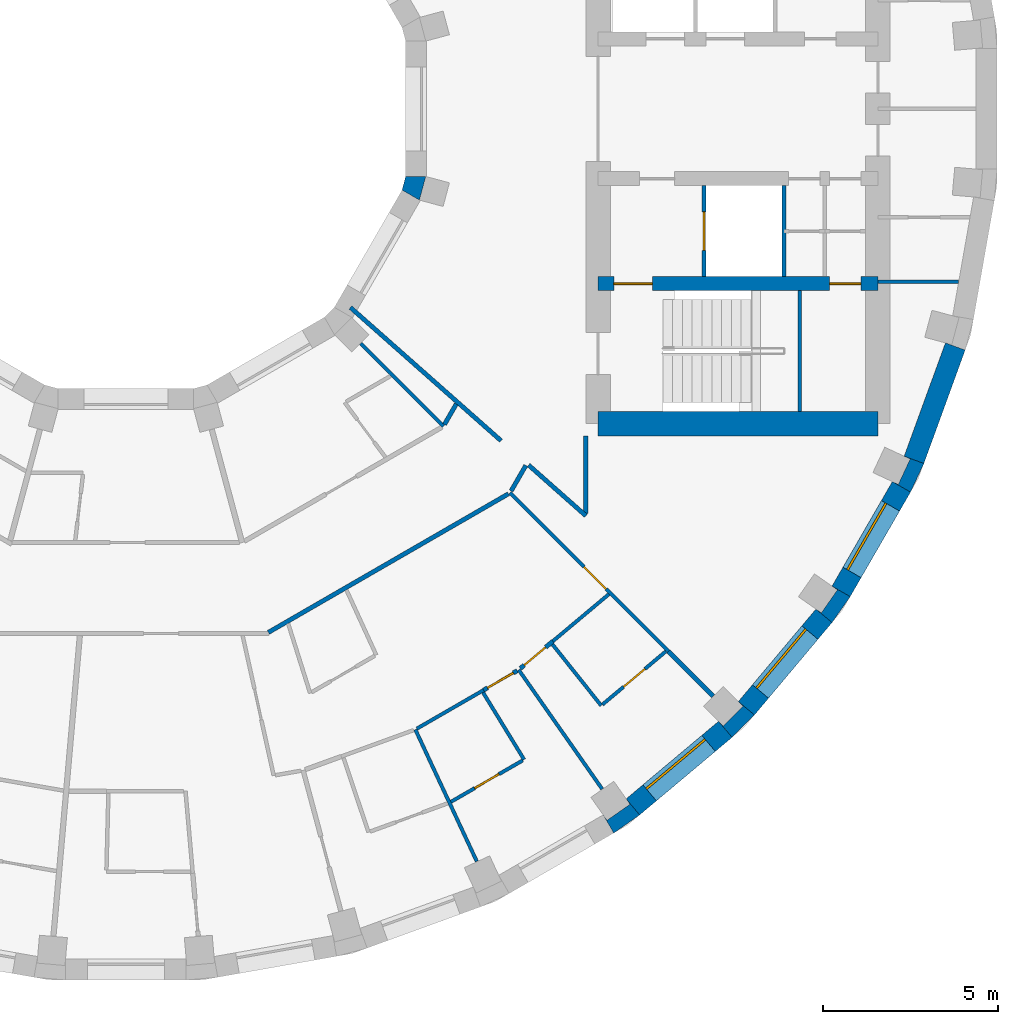
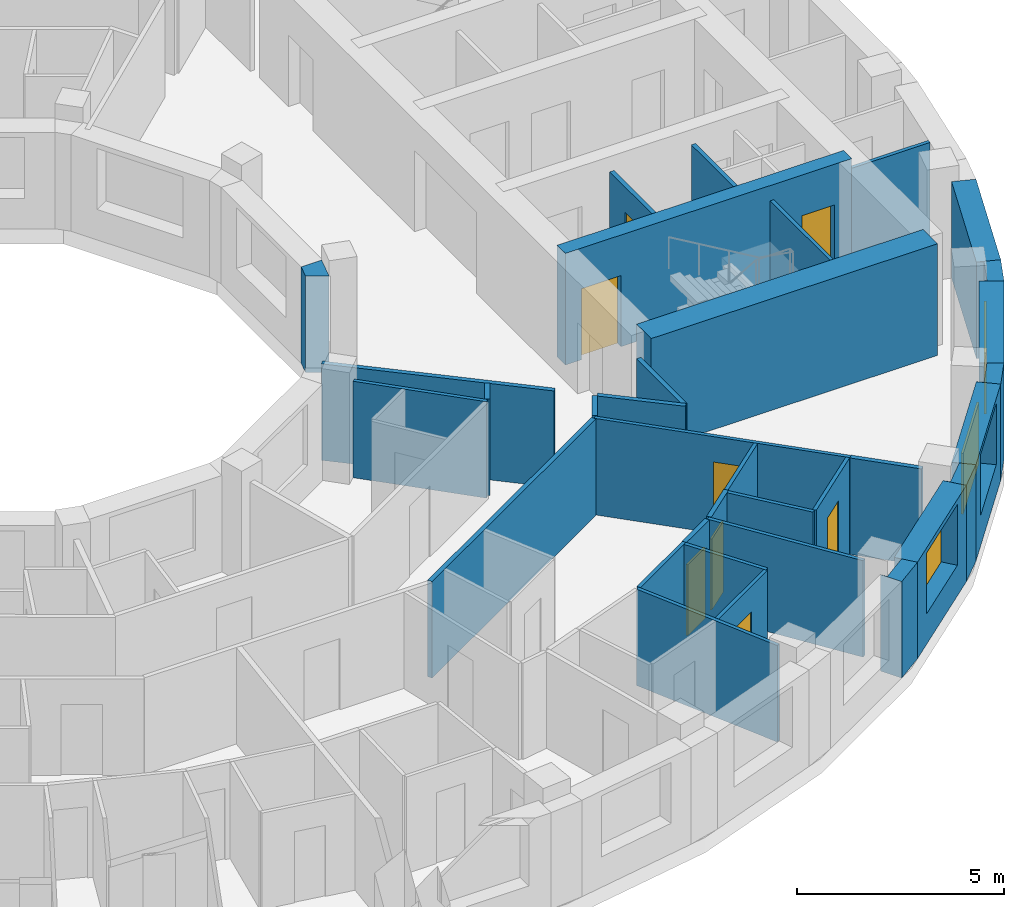
# One storey, part 8 of 14: 34 walls, 8 doors, 3 windows, 11 openings.
"""IFC4 building model written with IfcOpenShell, lengths in metres."""

import ifcopenshell
import ifcopenshell.guid

model = None  # the IFC model being written
_history = None  # IfcOwnerHistory: only IFC2X3 demands one
_inside = {}  # id of a spatial element -> (the spatial element, [elements in it])
_under = {}  # id of a project, library or spatial element -> (it, [spatial elements below it])
_declared = {}  # id of a project -> (the project, [libraries it declares])
_typed = {}  # id of a type object -> (the type object, [elements of that type])
_made_of = {}  # id of a material, layer set ... -> (it, [elements and type objects made of it])


def new_model(schema):
    """Start an empty IFC model of exactly this schema.

    Asked for "IFC4X3", IfcOpenShell would pick the latest addendum, in which some entities
    have other attributes; the version numbers below select the first issue.
    IFC2X3 requires an IfcOwnerHistory on every rooted entity: one is made here for all.
    """
    global model, _history
    if schema == "IFC4X3":
        model = ifcopenshell.file(schema_version=(4, 3, 0, 0))
    else:
        model = ifcopenshell.file(schema=schema)
    _inside.clear()
    _under.clear()
    _declared.clear()
    _typed.clear()
    _made_of.clear()
    _history = None
    if model.schema == "IFC2X3":
        org = make("IfcOrganization", Name="unknown")
        user = make(
            "IfcPersonAndOrganization",
            ThePerson=make("IfcPerson", FamilyName="unknown"),
            TheOrganization=org,
        )
        app = make(
            "IfcApplication",
            ApplicationDeveloper=org,
            Version="unknown",
            ApplicationFullName="unknown",
            ApplicationIdentifier="unknown",
        )
        _history = make(
            "IfcOwnerHistory",
            OwningUser=user,
            OwningApplication=app,
            ChangeAction="ADDED",
            CreationDate=0,
        )
    return model


def make(cls, **values):
    """One entity of the class cls with the attributes given. An attribute that is None is left unset."""
    return model.create_entity(
        cls, **{name: value for name, value in values.items() if value is not None}
    )


def rooted(cls, **values):
    """An entity with a GlobalId (a new one), such as an element, a storey or a relation."""
    return make(cls, GlobalId=ifcopenshell.guid.new(), OwnerHistory=_history, **values)


def si_unit(unit_type, name, prefix=None):
    """IfcSIUnit, for example si_unit("LENGTHUNIT", "METRE", prefix="MILLI")."""
    return make("IfcSIUnit", UnitType=unit_type, Prefix=prefix, Name=name)


def assignment(units):
    """IfcUnitAssignment: the units of a project."""
    return None if units is None else make("IfcUnitAssignment", Units=units)


def point(xyz):
    """IfcCartesianPoint."""
    return None if xyz is None else make("IfcCartesianPoint", Coordinates=xyz)


def direction(xyz):
    """IfcDirection."""
    return None if xyz is None else make("IfcDirection", DirectionRatios=xyz)


def frame(location, z_axis=None, x_axis=None):
    """IfcAxis2Placement3D, a coordinate frame: its origin and axes. An axis left out is left unset."""
    return make(
        "IfcAxis2Placement3D",
        Location=point(location),
        Axis=direction(z_axis),
        RefDirection=direction(x_axis),
    )


def frame_2d(location, x_axis=None):
    """IfcAxis2Placement2D, a coordinate frame in the plane: its origin and x axis."""
    return make(
        "IfcAxis2Placement2D", Location=point(location), RefDirection=direction(x_axis)
    )


def origin():
    """The frame at (0, 0, 0) with its axes left unset."""
    return frame((0.0, 0.0, 0.0))


def place(relative_to, where):
    """IfcLocalPlacement: puts the frame where relative to a parent placement (None: the world)."""
    return make(
        "IfcLocalPlacement", PlacementRelTo=relative_to, RelativePlacement=where
    )


def context(
    kind, dimensions, precision=None, world=None, true_north=None, identifier=None
):
    """IfcGeometricRepresentationContext, for example the 3D "Model" context."""
    return make(
        "IfcGeometricRepresentationContext",
        ContextIdentifier=identifier,
        ContextType=kind,
        CoordinateSpaceDimension=dimensions,
        Precision=precision,
        WorldCoordinateSystem=world,
        TrueNorth=true_north,
    )


def subcontext(parent, identifier, kind, view, scale=None):
    """IfcGeometricRepresentationSubContext, for example "Body" below "Model"."""
    return make(
        "IfcGeometricRepresentationSubContext",
        ContextIdentifier=identifier,
        ContextType=kind,
        ParentContext=parent,
        TargetScale=scale,
        TargetView=view,
    )


def project(units=None, contexts=None):
    """IfcProject with its units and contexts."""
    return rooted(
        "IfcProject",
        Name="project",
        RepresentationContexts=contexts,
        UnitsInContext=assignment(units),
    )


def spatial(cls, under=None, at=None, **own):
    """A site, building, storey or space (cls), placed at a placement, below another one or the project."""
    s = rooted(cls, ObjectPlacement=at, **own)
    if under is not None:
        _under.setdefault(under.id(), (under, []))[1].append(s)
    return s


def polyline(points):
    """IfcPolyline through the points."""
    return make("IfcPolyline", Points=[point(p) for p in points])


def profile(cls, at=None, kind="AREA", **sizes):
    """A parametric profile (cls). Its sizes go by their IFC names, for example OverallWidth=200.0."""
    return make(cls, ProfileType=kind, Position=at, **sizes)


def rectangle(**sizes):
    """IfcRectangleProfileDef."""
    return profile("IfcRectangleProfileDef", **sizes)


def outline(outer, holes=None, kind="AREA"):
    """IfcArbitraryClosedProfileDef: a profile drawn as a closed curve; with holes, ...WithVoids."""
    if holes is None:
        return make("IfcArbitraryClosedProfileDef", ProfileType=kind, OuterCurve=outer)
    return make(
        "IfcArbitraryProfileDefWithVoids",
        ProfileType=kind,
        OuterCurve=outer,
        InnerCurves=holes,
    )


def extrude(swept, where, along, depth):
    """IfcExtrudedAreaSolid: the profile swept, set in the frame where, extruded along a direction by depth."""
    return make(
        "IfcExtrudedAreaSolid",
        SweptArea=swept,
        Position=where,
        ExtrudedDirection=direction(along),
        Depth=depth,
    )


def shape(context_of_items, identifier, shape_type, items):
    """IfcShapeRepresentation: the items that make up one representation, for example the "Body"."""
    return make(
        "IfcShapeRepresentation",
        ContextOfItems=context_of_items,
        RepresentationIdentifier=identifier,
        RepresentationType=shape_type,
        Items=items,
    )


def material(Name=None, Category=None):
    """IfcMaterial."""
    return make("IfcMaterial", Name=Name, Category=Category)


def layer(
    of_material, thickness, ventilated=None, Name=None, Category=None, Priority=None
):
    """IfcMaterialLayer: one layer of a wall or slab, of a material (None: an air gap)."""
    return make(
        "IfcMaterialLayer",
        Material=of_material,
        LayerThickness=thickness,
        IsVentilated=ventilated,
        Name=Name,
        Category=Category,
        Priority=Priority,
    )


def layer_set(layers, Name=None):
    """IfcMaterialLayerSet."""
    return make("IfcMaterialLayerSet", MaterialLayers=layers, LayerSetName=Name)


def made_of(thing, what):
    """Note that an element or type object is made of a material, layer set ...; save() writes the relation."""
    if what is not None:
        _made_of.setdefault(what.id(), (what, []))[1].append(thing)
    return thing


def type_object(cls, material=None, **own):
    """A type object (cls), such as IfcWallType, which elements share."""
    return made_of(rooted(cls, **own), material)


def element(
    cls,
    number,
    at=None,
    inside=None,
    cuts=None,
    type_object=None,
    material=None,
    context=None,
    identifier="Body",
    shape_type=None,
    held_by="IfcProductDefinitionShape",
    body=None,
    shapes=None,
    **own,
):
    """One element of the class cls, such as IfcWall. Its Tag is "e" and its number.

    at: its placement. inside: the storey or other place that contains it. cuts: it is an
    opening in that element (IfcRelVoidsElement). A single representation is given by context,
    identifier, shape_type and body (its items); several are given by shapes. held_by: the class
    of the entity that holds the representations. save() writes the other relations.
    """
    e = rooted(cls, Tag="e%d" % number, ObjectPlacement=at, **own)
    if body is not None:
        shapes = [shape(context, identifier, shape_type, body)]
    if shapes is not None:
        e.Representation = make(held_by, Representations=shapes)
    if inside is not None:
        _inside.setdefault(inside.id(), (inside, []))[1].append(e)
    if cuts is not None:
        rooted(
            "IfcRelVoidsElement", RelatingBuildingElement=cuts, RelatedOpeningElement=e
        )
    if type_object is not None:
        _typed.setdefault(type_object.id(), (type_object, []))[1].append(e)
    return made_of(e, material)


def fill(opening, filler):
    """IfcRelFillsElement: the door or window that sits in an opening."""
    return rooted(
        "IfcRelFillsElement",
        RelatingOpeningElement=opening,
        RelatedBuildingElement=filler,
    )


def aggregate(whole, parts):
    """IfcRelAggregates: a whole, such as a stair, and the parts it consists of."""
    return rooted("IfcRelAggregates", RelatingObject=whole, RelatedObjects=parts)


def save(model, path):
    """Write the relations noted so far, then the file.

    IfcRelAggregates (storeys below a building ...), IfcRelContainedInSpatialStructure (elements
    in a storey), IfcRelDefinesByType, IfcRelAssociatesMaterial and IfcRelDeclares: one each for
    every whole, place, type object, material and project.
    """
    for whole, parts in _under.values():
        aggregate(whole, parts)
    for where, things in _inside.values():
        rooted(
            "IfcRelContainedInSpatialStructure",
            RelatedElements=things,
            RelatingStructure=where,
        )
    for kind, things in _typed.values():
        rooted("IfcRelDefinesByType", RelatedObjects=things, RelatingType=kind)
    for what, things in _made_of.values():
        rooted("IfcRelAssociatesMaterial", RelatedObjects=things, RelatingMaterial=what)
    for by, libraries in _declared.values():
        rooted("IfcRelDeclares", RelatingContext=by, RelatedDefinitions=libraries)
    model.write(path)


model = new_model("IFC4")

# Units and contexts
model_context = context("Model", 3, precision=1e-05, world=origin(), true_north=direction((0.0, 1.0)))
body_context = subcontext(model_context, "Body", "Model", "MODEL_VIEW")
ifc_project = project(units=[si_unit("LENGTHUNIT", "METRE"), si_unit("AREAUNIT", "SQUARE_METRE"), si_unit("VOLUMEUNIT", "CUBIC_METRE"), si_unit("PLANEANGLEUNIT", "RADIAN"), si_unit("MASSUNIT", "GRAM", prefix="KILO")], contexts=[model_context])

# Site, building, storey
site_placement = place(None, origin())
site = spatial("IfcSite", under=ifc_project, at=site_placement, CompositionType="ELEMENT")
building_placement = place(site_placement, origin())
building = spatial("IfcBuilding", under=site, at=building_placement, Name="Saqina Gate Tower", CompositionType="ELEMENT")
storey_placement = place(building_placement, frame((0.0, 0.0, 213.60009765625)))
storey = spatial("IfcBuildingStorey", under=building, at=storey_placement, Name="L61", CompositionType="ELEMENT", Elevation=213.60009765625)

# Walls
ifc_material_1 = material(Name="Brick masonry (buff)", Category="masonry")
wall_type_1 = type_object("IfcWallType", Name="BRICK PIER COPING BUFF", PredefinedType="SOLIDWALL", material=ifc_material_1)
wall_1_placement = place(storey_placement, origin())
element("IfcWall", 1, at=wall_1_placement, inside=storey, type_object=wall_type_1, Name="Pier cap L61 column 31", PredefinedType="SOLIDWALL", context=body_context, shape_type="SweptSolid", body=[
    extrude(outline(polyline([(13.9462890625, -20.705810546875), (14.687255859375, -20.18701171875), (14.301513671875, -19.727294921875), (14.408935546875, -19.880859375), (13.753662109375, -20.339599609375), (13.646240234375, -20.186279296875), (13.9462890625, -20.705810546875)])), origin(), (0.0, 0.0, 1.0), 2.849853515625),
])
wall_2_placement = place(storey_placement, origin())
element("IfcWall", 2, at=wall_2_placement, inside=storey, type_object=wall_type_1, Name="Pier cap L61 column 32", PredefinedType="SOLIDWALL", context=body_context, shape_type="SweptSolid", body=[
    extrude(outline(polyline([(17.969482421875, -17.329833984375), (17.510009765625, -16.944091796875), (17.642333984375, -17.07666015625), (17.07666015625, -17.642333984375), (16.944091796875, -17.510009765625), (17.329833984375, -17.969482421875), (17.969482421875, -17.329833984375)])), origin(), (0.0, 0.0, 1.0), 2.849853515625),
])
wall_3_placement = place(storey_placement, origin())
element("IfcWall", 3, at=wall_3_placement, inside=storey, type_object=wall_type_1, Name="Pier cap L61 column 33", PredefinedType="SOLIDWALL", context=body_context, shape_type="SweptSolid", body=[
    extrude(outline(polyline([(20.18701171875, -14.687255859375), (20.705810546875, -13.9462890625), (20.186279296875, -13.646240234375), (20.339599609375, -13.753662109375), (19.880859375, -14.408935546875), (19.727294921875, -14.301513671875), (20.18701171875, -14.687255859375)])), origin(), (0.0, 0.0, 1.0), 2.849853515625),
])
wall_4_placement = place(storey_placement, origin())
element("IfcWall", 4, at=wall_4_placement, inside=storey, type_object=wall_type_1, Name="Pier cap L61 column 34", PredefinedType="SOLIDWALL", context=body_context, shape_type="SweptSolid", body=[
    extrude(outline(polyline([(22.81298828125, -10.138916015625), (22.249267578125, -9.93359375), (22.4189453125, -10.0126953125), (22.080810546875, -10.73779296875), (21.9111328125, -10.65869140625), (22.4306640625, -10.958740234375), (22.81298828125, -10.138916015625)])), origin(), (0.0, 0.0, 1.0), 2.849853515625),
])
ifc_material_2 = material(Name="Gypsum board on steel studs", Category="steel")
ifc_layer_1 = layer(ifc_material_2, 0.10009765625)
ifc_layer_set_1 = layer_set([ifc_layer_1], Name="CORE PARTITION")
wall_type_2 = type_object("IfcWallType", Name="CORE PARTITION", PredefinedType="PARTITIONING", material=ifc_layer_set_1)
wall_5_placement = place(storey_placement, frame((21.5, -4.949951171875, 0.0), z_axis=(0.0, 0.0, 1.0), x_axis=(1.0, 0.0, 0.0)))
element("IfcWall", 5, at=wall_5_placement, inside=storey, type_object=wall_type_2, Name="L61-CP-E03", PredefinedType="PARTITIONING", context=body_context, shape_type="SweptSolid", body=[
    extrude(rectangle(XDim=2.306884765625, YDim=0.10009765625, at=frame_2d((1.1533203125, 0.0))), origin(), (0.0, 0.0, 1.0), 2.849853515625),
])

# Wall, opening, window
ifc_material_3 = material(Name="Brick masonry (buff)", Category="masonry")
ifc_layer_2 = layer(ifc_material_3, 0.60009765625)
ifc_layer_set_2 = layer_set([ifc_layer_2], Name="FW-BRICK-BUFF")
wall_type_3 = type_object("IfcWallType", Name="FW-BRICK-BUFF", PredefinedType="SOLIDWALL", material=ifc_layer_set_2)
wall_6_placement = place(storey_placement, frame((14.494384765625, -19.95703125, 0.0), z_axis=(0.0, 0.0, 1.0), x_axis=(0.766058884809, 0.642770398358, 0.0)))
wall_6 = element("IfcWall", 6, at=wall_6_placement, inside=storey, type_object=wall_type_3, Name="Facade wall L61 facet 31", PredefinedType="SOLIDWALL", context=body_context, shape_type="SweptSolid", body=[
    extrude(rectangle(XDim=3.449462890625, YDim=0.60009765625, at=frame_2d((1.724609375, 0.0))), origin(), (0.0, 0.0, 1.0), 2.849853515625),
])
opening_1_placement = place(wall_6_placement, frame((0.625, 0.0, 0.89990234375)))
opening_1 = element("IfcOpeningElement", 7, at=opening_1_placement, cuts=wall_6, Name="Opening G18-W20", PredefinedType="OPENING", context=body_context, shape_type="SweptSolid", body=[
    extrude(rectangle(XDim=2.199951171875, YDim=1.800048828125, at=frame_2d((1.10009765625, 0.89990234375))), frame((0.0, 0.31201171875, 0.0), z_axis=(0.0, -1.0, 0.0), x_axis=(1.0, 0.0, 0.0)), (0.0, 0.0, 1.0), 0.6240234375),
])
ifc_material_4 = material(Name="Aluminium glazing", Category="aluminium")
window_type = type_object("IfcWindowType", Name="WN-C", PartitioningType="SINGLE_PANEL", PredefinedType="WINDOW", material=ifc_material_4)
window_1_placement = place(opening_1_placement, origin())
window_1 = element("IfcWindow", 8, at=window_1_placement, inside=storey, type_object=window_type, Name="Window L61 facet 31", OverallHeight=1.800048828125, OverallWidth=2.199951171875, PartitioningType="SINGLE_PANEL", PredefinedType="WINDOW", context=body_context, shape_type="SweptSolid", body=[
    extrude(rectangle(XDim=2.199951171875, YDim=1.800048828125, at=frame_2d((1.10009765625, 0.89990234375))), frame((0.0, 0.179931640625, 0.0), z_axis=(0.0, -1.0, 0.0), x_axis=(1.0, 0.0, 0.0)), (0.0, 0.0, 1.0), 0.06005859375),
])
fill(opening_1, window_1)

wall_7_placement = place(storey_placement, frame((17.73974609375, -17.136962890625, 0.0), z_axis=(0.0, 0.0, 1.0), x_axis=(0.642770398358, 0.766058884809, 0.0)))
wall_7 = element("IfcWall", 9, at=wall_7_placement, inside=storey, type_object=wall_type_3, Name="Facade wall L61 facet 32", PredefinedType="SOLIDWALL", context=body_context, shape_type="SweptSolid", body=[
    extrude(rectangle(XDim=3.449462890625, YDim=0.60009765625, at=frame_2d((1.724609375, 0.0))), origin(), (0.0, 0.0, 1.0), 2.849853515625),
])
opening_2_placement = place(wall_7_placement, frame((0.625, 0.0, 0.89990234375)))
opening_2 = element("IfcOpeningElement", 10, at=opening_2_placement, cuts=wall_7, Name="Opening G18-W21", PredefinedType="OPENING", context=body_context, shape_type="SweptSolid", body=[
    extrude(rectangle(XDim=2.199951171875, YDim=1.800048828125, at=frame_2d((1.10009765625, 0.89990234375))), frame((0.0, 0.31201171875, 0.0), z_axis=(0.0, -1.0, 0.0), x_axis=(1.0, 0.0, 0.0)), (0.0, 0.0, 1.0), 0.6240234375),
])
window_2_placement = place(opening_2_placement, origin())
window_2 = element("IfcWindow", 11, at=window_2_placement, inside=storey, type_object=window_type, Name="Window L61 facet 32", OverallHeight=1.800048828125, OverallWidth=2.199951171875, PartitioningType="SINGLE_PANEL", PredefinedType="WINDOW", context=body_context, shape_type="SweptSolid", body=[
    extrude(rectangle(XDim=2.199951171875, YDim=1.800048828125, at=frame_2d((1.10009765625, 0.89990234375))), frame((0.0, 0.179931640625, 0.0), z_axis=(0.0, -1.0, 0.0), x_axis=(1.0, 0.0, 0.0)), (0.0, 0.0, 1.0), 0.06005859375),
])
fill(opening_2, window_2)

wall_8_placement = place(storey_placement, frame((20.446044921875, -13.796142578125, 0.0), z_axis=(0.0, 0.0, 1.0), x_axis=(0.499998129301, 0.86602648383, 0.0)))
wall_8 = element("IfcWall", 12, at=wall_8_placement, inside=storey, type_object=wall_type_3, Name="Facade wall L61 facet 33", PredefinedType="SOLIDWALL", context=body_context, shape_type="SweptSolid", body=[
    extrude(rectangle(XDim=3.44970703125, YDim=0.60009765625, at=frame_2d((1.724853515625, 0.0))), origin(), (0.0, 0.0, 1.0), 2.849853515625),
])
opening_3_placement = place(wall_8_placement, frame((0.625, 0.0, 0.89990234375)))
opening_3 = element("IfcOpeningElement", 13, at=opening_3_placement, cuts=wall_8, Name="Opening G18-W22", PredefinedType="OPENING", context=body_context, shape_type="SweptSolid", body=[
    extrude(rectangle(XDim=2.199951171875, YDim=1.800048828125, at=frame_2d((1.10009765625, 0.89990234375))), frame((0.0, 0.31201171875, 0.0), z_axis=(0.0, -1.0, 0.0), x_axis=(1.0, 0.0, 0.0)), (0.0, 0.0, 1.0), 0.6240234375),
])
window_3_placement = place(opening_3_placement, origin())
window_3 = element("IfcWindow", 14, at=window_3_placement, inside=storey, type_object=window_type, Name="Window L61 facet 33", OverallHeight=1.800048828125, OverallWidth=2.199951171875, PartitioningType="SINGLE_PANEL", PredefinedType="WINDOW", context=body_context, shape_type="SweptSolid", body=[
    extrude(rectangle(XDim=2.199951171875, YDim=1.800048828125, at=frame_2d((1.10009765625, 0.89990234375))), frame((0.0, 0.179931640625, 0.0), z_axis=(0.0, -1.0, 0.0), x_axis=(1.0, 0.0, 0.0)), (0.0, 0.0, 1.0), 0.06005859375),
])
fill(opening_3, window_3)

# Walls
ifc_material_5 = material(Name="Glazed ceramic tile", Category="ceramic")
ifc_layer_3 = layer(ifc_material_5, 0.60009765625)
ifc_layer_set_3 = layer_set([ifc_layer_3], Name="FW-TILE")
wall_type_4 = type_object("IfcWallType", Name="FW-TILE", PredefinedType="SOLIDWALL", material=ifc_layer_set_3)
wall_9_placement = place(storey_placement, frame((22.531005859375, -10.0361328125, 0.0), z_axis=(0.0, 0.0, 1.0), x_axis=(0.342032843455, 0.93968799822, 0.0)))
element("IfcWall", 15, at=wall_9_placement, inside=storey, type_object=wall_type_4, Name="Facade wall L61 facet 34", PredefinedType="SOLIDWALL", context=body_context, shape_type="SweptSolid", body=[
    extrude(rectangle(XDim=3.44970703125, YDim=0.60009765625, at=frame_2d((1.724853515625, 0.0))), origin(), (0.0, 0.0, 1.0), 2.849853515625),
])
ifc_material_6 = material(Name="Gypsum board on steel studs, 100 mm", Category="steel")
ifc_layer_4 = layer(ifc_material_6, 0.10009765625)
ifc_layer_set_4 = layer_set([ifc_layer_4], Name="PARTITION 100")
wall_type_5 = type_object("IfcWallType", Name="PARTITION 100", PredefinedType="PARTITIONING", material=ifc_layer_set_4)
wall_10_placement = place(storey_placement, frame((8.27490234375, -17.7451171875, 0.0), z_axis=(0.0, 0.0, 1.0), x_axis=(0.42246777717, -0.906377943936, 0.0)))
element("IfcWall", 16, at=wall_10_placement, inside=storey, type_object=wall_type_5, Name="PARTITION PW3-09", PredefinedType="PARTITIONING", context=body_context, shape_type="SweptSolid", body=[
    extrude(rectangle(XDim=4.16015625, YDim=0.10009765625, at=frame_2d((2.080078125, 0.0))), origin(), (0.0, 0.0, 1.0), 2.849853515625),
])
wall_11_placement = place(storey_placement, frame((10.210205078125, -16.685546875, 0.0), z_axis=(0.0, 0.0, 1.0), x_axis=(0.522037907824, -0.852922284147, 0.0)))
element("IfcWall", 17, at=wall_11_placement, inside=storey, type_object=wall_type_5, Name="PARTITION PW3-10", PredefinedType="PARTITIONING", context=body_context, shape_type="SweptSolid", body=[
    extrude(rectangle(XDim=2.25048828125, YDim=0.10009765625, at=frame_2d((1.125244140625, 0.0))), origin(), (0.0, 0.0, 1.0), 2.849853515625),
])
wall_12_placement = place(storey_placement, frame((11.22998046875, -16.0380859375, 0.0), z_axis=(0.0, 0.0, 1.0), x_axis=(0.573525346877, -0.81918781515, 0.0)))
element("IfcWall", 18, at=wall_12_placement, inside=storey, type_object=wall_type_5, Name="PARTITION PW3-12", PredefinedType="PARTITIONING", context=body_context, shape_type="SweptSolid", body=[
    extrude(rectangle(XDim=4.1611328125, YDim=0.10009765625, at=frame_2d((2.08056640625, 0.0))), origin(), (0.0, 0.0, 1.0), 2.849853515625),
])
wall_13_placement = place(storey_placement, frame((12.195068359375, -15.31103515625, 0.0), z_axis=(0.0, 0.0, 1.0), x_axis=(0.623070217722, -0.782165905539, 0.0)))
element("IfcWall", 19, at=wall_13_placement, inside=storey, type_object=wall_type_5, Name="PARTITION PW3-14", PredefinedType="PARTITIONING", context=body_context, shape_type="SweptSolid", body=[
    extrude(rectangle(XDim=2.2373046875, YDim=0.10009765625, at=frame_2d((1.11865234375, 0.0))), origin(), (0.0, 0.0, 1.0), 2.849853515625),
])
wall_14_placement = place(storey_placement, frame((6.7119140625, -6.7119140625, 0.0), z_axis=(0.0, 0.0, 1.0), x_axis=(0.707106781187, -0.707106781187, 0.0)))
element("IfcWall", 20, at=wall_14_placement, inside=storey, type_object=wall_type_5, Name="PARTITION PW3-19", PredefinedType="PARTITIONING", context=body_context, shape_type="SweptSolid", body=[
    extrude(rectangle(XDim=3.344482421875, YDim=0.10009765625, at=frame_2d((1.67236328125, 0.0))), origin(), (0.0, 0.0, 1.0), 2.849853515625),
])

# Wall, opening, door
wall_15_placement = place(storey_placement, frame((10.98095703125, -10.98095703125, 0.0), z_axis=(0.0, 0.0, 1.0), x_axis=(0.707106781187, -0.707106781187, 0.0)))
wall_15 = element("IfcWall", 21, at=wall_15_placement, inside=storey, type_object=wall_type_5, Name="PARTITION PW3-20", PredefinedType="PARTITIONING", context=body_context, shape_type="SweptSolid", body=[
    extrude(rectangle(XDim=6.408203125, YDim=0.10009765625, at=frame_2d((3.2041015625, 0.0))), origin(), (0.0, 0.0, 1.0), 2.849853515625),
])
opening_4_placement = place(wall_15_placement, frame((2.983642578125, 0.0, 0.0)))
opening_4 = element("IfcOpeningElement", 22, at=opening_4_placement, cuts=wall_15, Name="Opening G18-D56", PredefinedType="OPENING", context=body_context, shape_type="SweptSolid", body=[
    extrude(rectangle(XDim=0.89990234375, YDim=2.10009765625, at=frame_2d((0.449951171875, 1.050048828125))), frame((0.0, 0.06201171875, 0.0), z_axis=(0.0, -1.0, 0.0), x_axis=(1.0, 0.0, 0.0)), (0.0, 0.0, 1.0), 0.1240234375),
])
ifc_material_7 = material(Name="Timber door leaf, 900 mm", Category="wood")
door_type_1 = type_object("IfcDoorType", Name="DOOR 900 TIMBER", OperationType="SINGLE_SWING_LEFT", PredefinedType="DOOR", material=ifc_material_7)
door_1_placement = place(opening_4_placement, origin())
door_1 = element("IfcDoor", 23, at=door_1_placement, inside=storey, type_object=door_type_1, Name="DOOR G18-D56", OperationType="SINGLE_SWING_RIGHT", OverallHeight=2.10009765625, OverallWidth=0.89990234375, PredefinedType="DOOR", context=body_context, shape_type="SweptSolid", body=[
    extrude(rectangle(XDim=0.89990234375, YDim=2.10009765625, at=frame_2d((0.449951171875, 1.050048828125))), frame((0.0, 0.02490234375, 0.0), z_axis=(0.0, -1.0, 0.0), x_axis=(1.0, 0.0, 0.0)), (0.0, 0.0, 1.0), 0.050048828125),
])
fill(opening_4, door_1)

wall_16_placement = place(storey_placement, frame((9.293212890625, -19.81201171875, 0.0), z_axis=(0.0, 0.0, 1.0), x_axis=(0.866139183788, 0.49980287545, 0.0)))
wall_16 = element("IfcWall", 24, at=wall_16_placement, inside=storey, type_object=wall_type_5, Name="PARTITION PW3-55", PredefinedType="PARTITIONING", context=body_context, shape_type="SweptSolid", body=[
    extrude(rectangle(XDim=2.365234375, YDim=0.10009765625, at=frame_2d((1.1826171875, 0.0))), origin(), (0.0, 0.0, 1.0), 2.849853515625),
])
opening_5_placement = place(wall_16_placement, frame((0.782470703125, 0.0, 0.0)))
opening_5 = element("IfcOpeningElement", 25, at=opening_5_placement, cuts=wall_16, Name="Opening G18-D50", PredefinedType="OPENING", context=body_context, shape_type="SweptSolid", body=[
    extrude(rectangle(XDim=0.800048828125, YDim=2.10009765625, at=frame_2d((0.39990234375, 1.050048828125))), frame((0.0, 0.06201171875, 0.0), z_axis=(0.0, -1.0, 0.0), x_axis=(1.0, 0.0, 0.0)), (0.0, 0.0, 1.0), 0.1240234375),
])
ifc_material_8 = material(Name="Timber door leaf, 800 mm", Category="wood")
door_type_2 = type_object("IfcDoorType", Name="DOOR 800 TIMBER", OperationType="SINGLE_SWING_LEFT", PredefinedType="DOOR", material=ifc_material_8)
door_2_placement = place(opening_5_placement, frame((0.800048828125, 0.0, 0.0), z_axis=(0.0, 0.0, 1.0), x_axis=(-1.0, 0.0, 0.0)))
door_2 = element("IfcDoor", 26, at=door_2_placement, inside=storey, type_object=door_type_2, Name="DOOR G18-D50", OperationType="SINGLE_SWING_LEFT", OverallHeight=2.10009765625, OverallWidth=0.800048828125, PredefinedType="DOOR", context=body_context, shape_type="SweptSolid", body=[
    extrude(rectangle(XDim=0.800048828125, YDim=2.10009765625, at=frame_2d((0.39990234375, 1.050048828125))), frame((0.0, 0.02490234375, 0.0), z_axis=(0.0, -1.0, 0.0), x_axis=(1.0, 0.0, 0.0)), (0.0, 0.0, 1.0), 0.050048828125),
])
fill(opening_5, door_2)

# Wall
wall_17_placement = place(storey_placement, frame((8.318359375, -17.719970703125, 0.0), z_axis=(0.0, 0.0, 1.0), x_axis=(0.866039875853, 0.499974932805, 0.0)))
element("IfcWall", 27, at=wall_17_placement, inside=storey, type_object=wall_type_5, Name="PARTITION PW3-56", PredefinedType="PARTITIONING", context=body_context, shape_type="SweptSolid", body=[
    extrude(rectangle(XDim=2.2041015625, YDim=0.10009765625, at=frame_2d((1.10205078125, 0.0))), origin(), (0.0, 0.0, 1.0), 2.849853515625),
])

# Wall, opening, door
wall_18_placement = place(storey_placement, frame((13.627197265625, -17.02880859375, 0.0), z_axis=(0.0, 0.0, 1.0), x_axis=(0.766091436164, 0.642731601399, 0.0)))
wall_18 = element("IfcWall", 28, at=wall_18_placement, inside=storey, type_object=wall_type_5, Name="PARTITION PW3-63", PredefinedType="PARTITIONING", context=body_context, shape_type="SweptSolid", body=[
    extrude(rectangle(XDim=2.363037109375, YDim=0.10009765625, at=frame_2d((1.181640625, 0.0))), origin(), (0.0, 0.0, 1.0), 2.849853515625),
])
opening_6_placement = place(wall_18_placement, frame((0.7822265625, 0.0, 0.0)))
opening_6 = element("IfcOpeningElement", 29, at=opening_6_placement, cuts=wall_18, Name="Opening G18-D55", PredefinedType="OPENING", context=body_context, shape_type="SweptSolid", body=[
    extrude(rectangle(XDim=0.800048828125, YDim=2.10009765625, at=frame_2d((0.39990234375, 1.050048828125))), frame((0.0, 0.06201171875, 0.0), z_axis=(0.0, -1.0, 0.0), x_axis=(1.0, 0.0, 0.0)), (0.0, 0.0, 1.0), 0.1240234375),
])
door_3_placement = place(opening_6_placement, frame((0.800048828125, 0.0, 0.0), z_axis=(0.0, 0.0, 1.0), x_axis=(-1.0, 0.0, 0.0)))
door_3 = element("IfcDoor", 30, at=door_3_placement, inside=storey, type_object=door_type_2, Name="DOOR G18-D55", OperationType="SINGLE_SWING_LEFT", OverallHeight=2.10009765625, OverallWidth=0.800048828125, PredefinedType="DOOR", context=body_context, shape_type="SweptSolid", body=[
    extrude(rectangle(XDim=0.800048828125, YDim=2.10009765625, at=frame_2d((0.39990234375, 1.050048828125))), frame((0.0, 0.02490234375, 0.0), z_axis=(0.0, -1.0, 0.0), x_axis=(1.0, 0.0, 0.0)), (0.0, 0.0, 1.0), 0.050048828125),
])
fill(opening_6, door_3)

# Walls
wall_19_placement = place(storey_placement, frame((12.203857421875, -15.221923828125, 0.0), z_axis=(0.0, 0.0, 1.0), x_axis=(0.766132236748, 0.6426829668, 0.0)))
element("IfcWall", 31, at=wall_19_placement, inside=storey, type_object=wall_type_5, Name="PARTITION PW3-64", PredefinedType="PARTITIONING", context=body_context, shape_type="SweptSolid", body=[
    extrude(rectangle(XDim=2.09228515625, YDim=0.10009765625, at=frame_2d((1.046142578125, 0.0))), origin(), (0.0, 0.0, 1.0), 2.849853515625),
])
ifc_material_9 = material(Name="Gypsum board on steel studs, 125 mm, fire rated", Category="steel")
ifc_layer_5 = layer(ifc_material_9, 0.125)
ifc_layer_set_5 = layer_set([ifc_layer_5], Name="PARTITION EI 30 125")
wall_type_6 = type_object("IfcWallType", Name="PARTITION EI 30 125", PredefinedType="PARTITIONING", material=ifc_layer_set_5)
wall_20_placement = place(storey_placement, frame((15.51123046875, -15.51318359375, 0.0), z_axis=(0.0, 0.0, 1.0), x_axis=(0.707106781187, -0.707106781187, 0.0)))
element("IfcWall", 32, at=wall_20_placement, inside=storey, type_object=wall_type_6, Name="PARTITION PW1-10", PredefinedType="PARTITIONING", context=body_context, shape_type="SweptSolid", body=[
    extrude(rectangle(XDim=1.80224609375, YDim=0.125, at=frame_2d((0.901123046875, 0.0))), origin(), (0.0, 0.0, 1.0), 2.849853515625),
])
wall_21_placement = place(storey_placement, frame((6.419921875, -5.679931640625, 0.0), z_axis=(0.0, 0.0, 1.0), x_axis=(0.74898196967, -0.662590378068, 0.0)))
element("IfcWall", 33, at=wall_21_placement, inside=storey, type_object=wall_type_6, Name="PARTITION PW1-13", PredefinedType="PARTITIONING", context=body_context, shape_type="SweptSolid", body=[
    extrude(rectangle(XDim=5.748046875, YDim=0.125, at=frame_2d((2.8740234375, 0.0))), origin(), (0.0, 0.0, 1.0), 2.849853515625),
])
wall_22_placement = place(storey_placement, frame((11.51171875, -10.1845703125, 0.0), z_axis=(0.0, 0.0, 1.0), x_axis=(0.748928386133, -0.66265094314, 0.0)))
element("IfcWall", 34, at=wall_22_placement, inside=storey, type_object=wall_type_6, Name="PARTITION PW1-14", PredefinedType="PARTITIONING", context=body_context, shape_type="SweptSolid", body=[
    extrude(rectangle(XDim=2.187255859375, YDim=0.125, at=frame_2d((1.09375, 0.0))), origin(), (0.0, 0.0, 1.0), 2.849853515625),
])

# Wall, opening, door
wall_23_placement = place(storey_placement, frame((10.227294921875, -16.617919921875, 0.0), z_axis=(0.0, 0.0, 1.0), x_axis=(0.865642357341, 0.50066286978, 0.0)))
wall_23 = element("IfcWall", 35, at=wall_23_placement, inside=storey, type_object=wall_type_6, Name="PARTITION PW1-35", PredefinedType="PARTITIONING", context=body_context, shape_type="SweptSolid", body=[
    extrude(rectangle(XDim=1.1083984375, YDim=0.125, at=frame_2d((0.55419921875, 0.0))), origin(), (0.0, 0.0, 1.0), 2.849853515625),
])
opening_7_placement = place(wall_23_placement, frame((0.129150390625, 0.0, 0.0)))
opening_7 = element("IfcOpeningElement", 36, at=opening_7_placement, cuts=wall_23, Name="Opening G18-D52", PredefinedType="OPENING", context=body_context, shape_type="SweptSolid", body=[
    extrude(rectangle(XDim=0.85009765625, YDim=2.10009765625, at=frame_2d((0.425048828125, 1.050048828125))), frame((0.0, 0.074462890625, 0.0), z_axis=(0.0, -1.0, 0.0), x_axis=(1.0, 0.0, 0.0)), (0.0, 0.0, 1.0), 0.14892578125),
])
ifc_material_10 = material(Name="Fire door leaf EI 30, 850 mm")
door_type_3 = type_object("IfcDoorType", Name="DOOR 850 EI 30", OperationType="SINGLE_SWING_LEFT", PredefinedType="DOOR", material=ifc_material_10)
door_4_placement = place(opening_7_placement, origin())
door_4 = element("IfcDoor", 37, at=door_4_placement, inside=storey, type_object=door_type_3, Name="DOOR G18-D52", OperationType="SINGLE_SWING_RIGHT", OverallHeight=2.10009765625, OverallWidth=0.85009765625, PredefinedType="DOOR", context=body_context, shape_type="SweptSolid", body=[
    extrude(rectangle(XDim=0.85009765625, YDim=2.10009765625, at=frame_2d((0.425048828125, 1.050048828125))), frame((0.0, 0.02490234375, 0.0), z_axis=(0.0, -1.0, 0.0), x_axis=(1.0, 0.0, 0.0)), (0.0, 0.0, 1.0), 0.050048828125),
])
fill(opening_7, door_4)

# Wall
wall_24_placement = place(storey_placement, frame((4.0732421875, -14.96875, 0.0), z_axis=(0.0, 0.0, 1.0), x_axis=(0.866056845741, 0.499945536979, 0.0)))
element("IfcWall", 38, at=wall_24_placement, inside=storey, type_object=wall_type_6, Name="PARTITION PW1-36", PredefinedType="PARTITIONING", context=body_context, shape_type="SweptSolid", body=[
    extrude(rectangle(XDim=7.92626953125, YDim=0.125, at=frame_2d((3.963134765625, 0.0))), origin(), (0.0, 0.0, 1.0), 2.849853515625),
])

# Wall, opening, door
wall_25_placement = place(storey_placement, frame((11.27783203125, -15.997802734375, 0.0), z_axis=(0.0, 0.0, 1.0), x_axis=(0.766877941262, 0.641792975348, 0.0)))
wall_25 = element("IfcWall", 39, at=wall_25_placement, inside=storey, type_object=wall_type_6, Name="PARTITION PW1-41", PredefinedType="PARTITIONING", context=body_context, shape_type="SweptSolid", body=[
    extrude(rectangle(XDim=1.208251953125, YDim=0.125, at=frame_2d((0.60400390625, 0.0))), origin(), (0.0, 0.0, 1.0), 2.849853515625),
])
opening_8_placement = place(wall_25_placement, frame((0.1416015625, 0.0, 0.0)))
opening_8 = element("IfcOpeningElement", 40, at=opening_8_placement, cuts=wall_25, Name="Opening G18-D54", PredefinedType="OPENING", context=body_context, shape_type="SweptSolid", body=[
    extrude(rectangle(XDim=0.800048828125, YDim=2.10009765625, at=frame_2d((0.39990234375, 1.050048828125))), frame((0.0, 0.074462890625, 0.0), z_axis=(0.0, -1.0, 0.0), x_axis=(1.0, 0.0, 0.0)), (0.0, 0.0, 1.0), 0.14892578125),
])
ifc_material_11 = material(Name="Fire door leaf EI 30, 800 mm")
door_type_4 = type_object("IfcDoorType", Name="DOOR 800 EI 30", OperationType="SINGLE_SWING_LEFT", PredefinedType="DOOR", material=ifc_material_11)
door_5_placement = place(opening_8_placement, origin())
door_5 = element("IfcDoor", 41, at=door_5_placement, inside=storey, type_object=door_type_4, Name="DOOR G18-D54", OperationType="SINGLE_SWING_LEFT", OverallHeight=2.10009765625, OverallWidth=0.800048828125, PredefinedType="DOOR", context=body_context, shape_type="SweptSolid", body=[
    extrude(rectangle(XDim=0.800048828125, YDim=2.10009765625, at=frame_2d((0.39990234375, 1.050048828125))), frame((0.0, 0.02490234375, 0.0), z_axis=(0.0, -1.0, 0.0), x_axis=(1.0, 0.0, 0.0)), (0.0, 0.0, 1.0), 0.050048828125),
])
fill(opening_8, door_5)

# Walls
wall_26_placement = place(storey_placement, frame((11.01220703125, -10.9267578125, 0.0), z_axis=(0.0, 0.0, 1.0), x_axis=(0.500190688257, 0.865915281873, 0.0)))
element("IfcWall", 42, at=wall_26_placement, inside=storey, type_object=wall_type_6, Name="PARTITION PW1-46", PredefinedType="PARTITIONING", context=body_context, shape_type="SweptSolid", body=[
    extrude(rectangle(XDim=0.842529296875, YDim=0.125, at=frame_2d((0.42138671875, 0.0))), origin(), (0.0, 0.0, 1.0), 2.849853515625),
])
wall_27_placement = place(storey_placement, frame((9.1083984375, -9.02294921875, 0.0), z_axis=(0.0, 0.0, 1.0), x_axis=(0.500422377307, 0.865781406759, 0.0)))
element("IfcWall", 43, at=wall_27_placement, inside=storey, type_object=wall_type_6, Name="PARTITION PW1-47", PredefinedType="PARTITIONING", context=body_context, shape_type="SweptSolid", body=[
    extrude(rectangle(XDim=0.67431640625, YDim=0.125, at=frame_2d((0.337158203125, 0.0))), origin(), (0.0, 0.0, 1.0), 2.849853515625),
])
wall_28_placement = place(storey_placement, frame((13.14990234375, -11.571533203125, 0.0), z_axis=(0.0, 0.0, 1.0), x_axis=(0.0, 1.0, 0.0)))
element("IfcWall", 44, at=wall_28_placement, inside=storey, type_object=wall_type_6, Name="PARTITION PW1-50", PredefinedType="PARTITIONING", context=body_context, shape_type="SweptSolid", body=[
    extrude(rectangle(XDim=2.221435546875, YDim=0.125, at=frame_2d((1.11083984375, 0.0))), origin(), (0.0, 0.0, 1.0), 2.849853515625),
])

# Wall, opening, door
ifc_material_12 = material(Name="Autoclaved aerated concrete block", Category="concrete")
ifc_layer_6 = layer(ifc_material_12, 0.1201171875)
ifc_layer_set_6 = layer_set([ifc_layer_6], Name="SHAFT PARTITION")
wall_type_7 = type_object("IfcWallType", Name="SHAFT PARTITION", PredefinedType="PARTITIONING", material=ifc_layer_set_6)
wall_29_placement = place(storey_placement, frame((16.530029296875, -4.800048828125, 0.0), z_axis=(0.0, 0.0, 1.0), x_axis=(0.0, 1.0, 0.0)))
wall_29 = element("IfcWall", 45, at=wall_29_placement, inside=storey, type_object=wall_type_7, Name="L61-CP-E08", PredefinedType="PARTITIONING", context=body_context, shape_type="SweptSolid", body=[
    extrude(rectangle(XDim=2.60009765625, YDim=0.1201171875, at=frame_2d((1.300048828125, 0.0))), origin(), (0.0, 0.0, 1.0), 2.849853515625),
])
opening_9_placement = place(wall_29_placement, frame((0.75, 0.0, 0.0)))
opening_9 = element("IfcOpeningElement", 46, at=opening_9_placement, cuts=wall_29, Name="Opening G18-LD3", PredefinedType="OPENING", context=body_context, shape_type="SweptSolid", body=[
    extrude(rectangle(XDim=1.10009765625, YDim=2.10009765625, at=frame_2d((0.550048828125, 1.050048828125))), frame((0.0, 0.072021484375, 0.0), z_axis=(0.0, -1.0, 0.0), x_axis=(1.0, 0.0, 0.0)), (0.0, 0.0, 1.0), 0.14404296875),
])
ifc_material_13 = material(Name="Stainless steel", Category="steel")
door_type_5 = type_object("IfcDoorType", Name="LANDING DOOR", OperationType="DOUBLE_DOOR_SLIDING", PredefinedType="DOOR", material=ifc_material_13)
door_6_placement = place(opening_9_placement, origin())
door_6 = element("IfcDoor", 47, at=door_6_placement, inside=storey, type_object=door_type_5, Name="LANDING DOOR FF1", OperationType="DOUBLE_DOOR_SLIDING", OverallHeight=2.10009765625, OverallWidth=1.10009765625, PredefinedType="DOOR", context=body_context, shape_type="SweptSolid", body=[
    extrude(rectangle(XDim=1.10009765625, YDim=2.10009765625, at=frame_2d((0.550048828125, 1.050048828125))), frame((0.0, 0.02490234375, 0.0), z_axis=(0.0, -1.0, 0.0), x_axis=(1.0, 0.0, 0.0)), (0.0, 0.0, 1.0), 0.050048828125),
])
fill(opening_9, door_6)

# Walls
wall_30_placement = place(storey_placement, frame((18.81005859375, -4.800048828125, 0.0), z_axis=(0.0, 0.0, 1.0), x_axis=(0.0, 1.0, 0.0)))
element("IfcWall", 48, at=wall_30_placement, inside=storey, type_object=wall_type_7, Name="L61-CP-E09", PredefinedType="PARTITIONING", context=body_context, shape_type="SweptSolid", body=[
    extrude(rectangle(XDim=2.60009765625, YDim=0.1201171875, at=frame_2d((1.300048828125, 0.0))), origin(), (0.0, 0.0, 1.0), 2.849853515625),
])
ifc_material_14 = material(Name="Autoclaved aerated concrete block", Category="concrete")
ifc_layer_7 = layer(ifc_material_14, 0.10009765625)
ifc_layer_set_7 = layer_set([ifc_layer_7], Name="STAIR ENCLOSURE WALL")
wall_type_8 = type_object("IfcWallType", Name="STAIR ENCLOSURE WALL", PredefinedType="PARTITIONING", material=ifc_layer_set_7)
wall_31_placement = place(storey_placement, frame((19.27001953125, -8.64990234375, 0.0), z_axis=(0.0, 0.0, 1.0), x_axis=(0.0, 1.0, 0.0)))
element("IfcWall", 49, at=wall_31_placement, inside=storey, type_object=wall_type_8, Name="L61-CP-E15", PredefinedType="PARTITIONING", context=body_context, shape_type="SweptSolid", body=[
    extrude(rectangle(XDim=3.449951171875, YDim=0.10009765625, at=frame_2d((1.72509765625, 0.0))), origin(), (0.0, 0.0, 1.0), 2.849853515625),
])

# Wall, openings, doors
ifc_material_15 = material(Name="Concrete C60/75", Category="concrete")
ifc_layer_8 = layer(ifc_material_15, 0.39990234375)
ifc_layer_set_8 = layer_set([ifc_layer_8], Name="Concrete C60/75")
wall_type_9 = type_object("IfcWallType", Name="STR-CORE WALL-C-I", PredefinedType="SHEAR", material=ifc_layer_set_8)
wall_32_placement = place(storey_placement, frame((13.5, -5.0, 0.0), z_axis=(0.0, 0.0, 1.0), x_axis=(1.0, 0.0, 0.0)))
wall_32 = element("IfcWall", 50, at=wall_32_placement, inside=storey, type_object=wall_type_9, Name="CORE WALL L61 E-X2", PredefinedType="SHEAR", context=body_context, shape_type="SweptSolid", body=[
    extrude(rectangle(XDim=8.0, YDim=0.39990234375, at=frame_2d((4.0, 0.0))), origin(), (0.0, 0.0, 1.0), 3.2998046875),
])
opening_10_placement = place(wall_32_placement, frame((6.614990234375, 0.0, 0.0)))
opening_10 = element("IfcOpeningElement", 51, at=opening_10_placement, cuts=wall_32, Name="Opening G18-D102", PredefinedType="OPENING", context=body_context, shape_type="SweptSolid", body=[
    extrude(rectangle(XDim=0.89990234375, YDim=2.10009765625, at=frame_2d((0.449951171875, 1.050048828125))), frame((0.0, 0.2119140625, 0.0), z_axis=(0.0, -1.0, 0.0), x_axis=(1.0, 0.0, 0.0)), (0.0, 0.0, 1.0), 0.423828125),
])
opening_11_placement = place(wall_32_placement, frame((0.449951171875, 0.0, 0.0)))
opening_11 = element("IfcOpeningElement", 52, at=opening_11_placement, cuts=wall_32, Name="Opening G18-D103", PredefinedType="OPENING", context=body_context, shape_type="SweptSolid", body=[
    extrude(rectangle(XDim=1.10009765625, YDim=2.10009765625, at=frame_2d((0.550048828125, 1.050048828125))), frame((0.0, 0.2119140625, 0.0), z_axis=(0.0, -1.0, 0.0), x_axis=(1.0, 0.0, 0.0)), (0.0, 0.0, 1.0), 0.423828125),
])
ifc_material_16 = material(Name="Steel", Category="steel")
door_type_6 = type_object("IfcDoorType", Name="FIRE LOBBY DOOR EI 60 WIDE", OperationType="SINGLE_SWING_LEFT", PredefinedType="DOOR", material=ifc_material_16)
door_7_placement = place(opening_11_placement, frame((1.10009765625, 0.0, 0.0), z_axis=(0.0, 0.0, 1.0), x_axis=(-1.0, 0.0, 0.0)))
door_7 = element("IfcDoor", 53, at=door_7_placement, inside=storey, type_object=door_type_6, Name="L61-CD-E14", OperationType="SINGLE_SWING_RIGHT", OverallHeight=2.10009765625, OverallWidth=1.10009765625, PredefinedType="DOOR", context=body_context, shape_type="SweptSolid", body=[
    extrude(rectangle(XDim=1.10009765625, YDim=2.10009765625, at=frame_2d((0.550048828125, 1.050048828125))), frame((0.0, 0.02490234375, 0.0), z_axis=(0.0, -1.0, 0.0), x_axis=(1.0, 0.0, 0.0)), (0.0, 0.0, 1.0), 0.050048828125),
])
fill(opening_11, door_7)
ifc_material_17 = material(Name="Steel-framed fire door leaf, EI 60", Category="steel")
door_type_7 = type_object("IfcDoorType", Name="SERVICE ROOM DOOR 900", OperationType="SINGLE_SWING_LEFT", PredefinedType="DOOR", material=ifc_material_17)
door_8_placement = place(opening_10_placement, frame((0.89990234375, 0.0, 0.0), z_axis=(0.0, 0.0, 1.0), x_axis=(-1.0, 0.0, 0.0)))
door_8 = element("IfcDoor", 54, at=door_8_placement, inside=storey, type_object=door_type_7, Name="L61-CD-E13", OperationType="SINGLE_SWING_LEFT", OverallHeight=2.10009765625, OverallWidth=0.89990234375, PredefinedType="DOOR", context=body_context, shape_type="SweptSolid", body=[
    extrude(rectangle(XDim=0.89990234375, YDim=2.10009765625, at=frame_2d((0.449951171875, 1.050048828125))), frame((0.0, 0.02490234375, 0.0), z_axis=(0.0, -1.0, 0.0), x_axis=(1.0, 0.0, 0.0)), (0.0, 0.0, 1.0), 0.050048828125),
])
fill(opening_10, door_8)

# Walls
ifc_material_18 = material(Name="Concrete C60/75", Category="concrete")
ifc_layer_9 = layer(ifc_material_18, 0.699951171875)
ifc_layer_set_9 = layer_set([ifc_layer_9], Name="Concrete C60/75")
wall_type_10 = type_object("IfcWallType", Name="STR-CORE WALL-C-O", PredefinedType="SHEAR", material=ifc_layer_set_9)
wall_33_placement = place(storey_placement, frame((13.5, -9.0, 0.0), z_axis=(0.0, 0.0, 1.0), x_axis=(1.0, 0.0, 0.0)))
element("IfcWall", 55, at=wall_33_placement, inside=storey, type_object=wall_type_10, Name="CORE WALL L61 E-SE", PredefinedType="SHEAR", context=body_context, shape_type="SweptSolid", body=[
    extrude(rectangle(XDim=8.0, YDim=0.699951171875, at=frame_2d((4.0, 0.0))), origin(), (0.0, 0.0, 1.0), 3.2998046875),
])
ifc_material_19 = material(Name="Glazed ceramic tile", Category="ceramic")
wall_type_11 = type_object("IfcWallType", Name="TILE PIER COPING", PredefinedType="SOLIDWALL", material=ifc_material_19)
wall_34_placement = place(storey_placement, origin())
element("IfcWall", 56, at=wall_34_placement, inside=storey, type_object=wall_type_11, Name="Well pier cap L61 column 12", PredefinedType="SOLIDWALL", context=body_context, shape_type="SweptSolid", body=[
    extrude(outline(polyline([(8.573486328125, -1.934814453125), (8.0, -1.934814453125), (7.895751953125, -2.32421875), (8.392333984375, -2.611083984375), (8.573486328125, -1.934814453125)])), origin(), (0.0, 0.0, 1.0), 2.849853515625),
])

save(model, "model.ifc")
